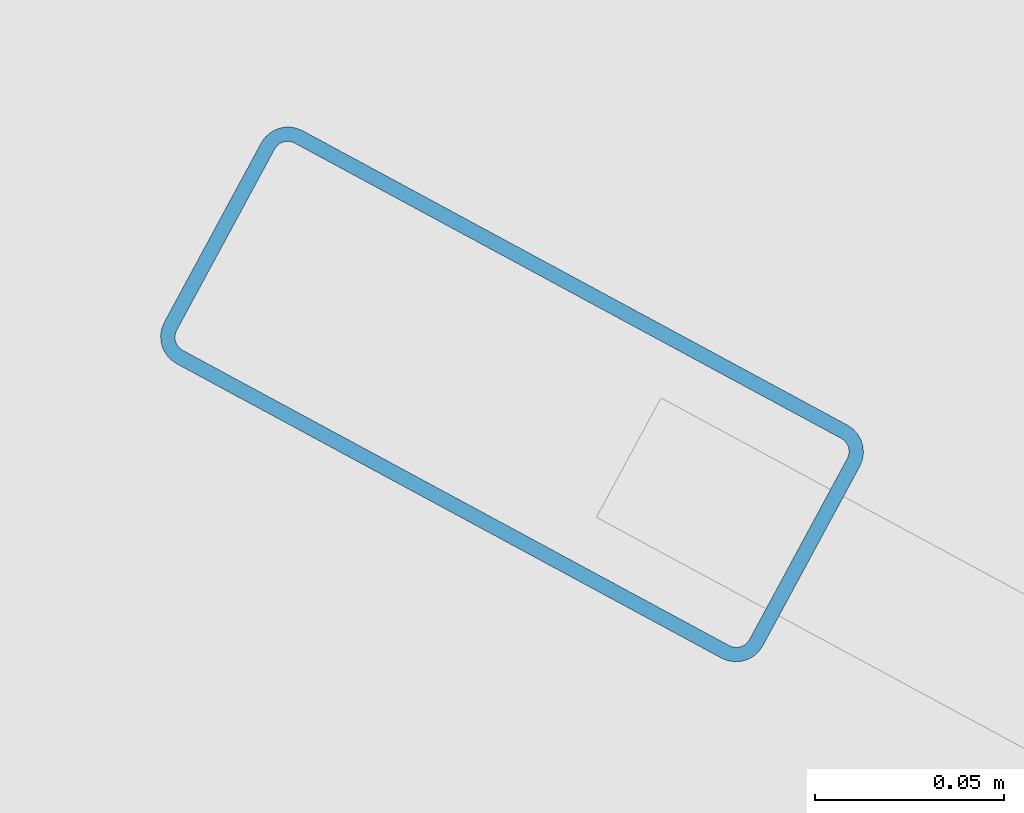
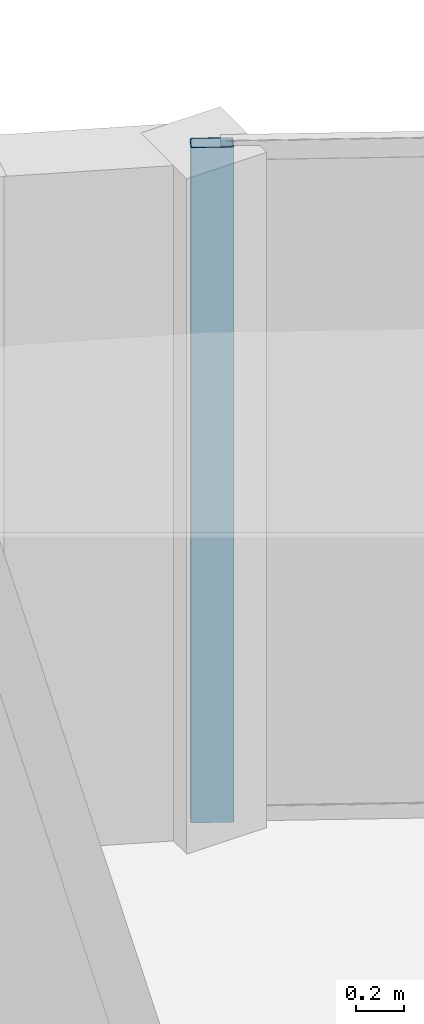
# One storey, part 7 of 13: 1 member, 1 element without a shape of its own.
"""IFC4 building model written with IfcOpenShell, lengths in metres."""

from ifc_helpers import new_model, si_unit, direction, frame, origin, origin_2d, place, context, subcontext, project, spatial, hollow_rectangle, extrude, material, layer, layer_set, material_profile, profile_set, type_object, element, aggregate, save


model = new_model("IFC4")

# Units and contexts
model_context = context("Model", 3, precision=1e-05, world=origin(), true_north=direction((0.0, 1.0)))
body_context = subcontext(model_context, "Body", "Model", "MODEL_VIEW")
ifc_project = project(units=[si_unit("LENGTHUNIT", "METRE"), si_unit("AREAUNIT", "SQUARE_METRE"), si_unit("VOLUMEUNIT", "CUBIC_METRE"), si_unit("PLANEANGLEUNIT", "RADIAN"), si_unit("MASSUNIT", "GRAM", prefix="KILO")], contexts=[model_context])

# Site, building, storey
site_placement = place(None, origin())
site = spatial("IfcSite", under=ifc_project, at=site_placement, CompositionType="ELEMENT")
building_placement = place(site_placement, origin())
building = spatial("IfcBuilding", under=site, at=building_placement, Name="An Khanh Terracotta Commons", CompositionType="ELEMENT")
storey_placement = place(building_placement, frame((0.0, 0.0, 226.5)))
storey = spatial("IfcBuildingStorey", under=building, at=storey_placement, Name="L59", CompositionType="ELEMENT", Elevation=226.5)

# Curtain wall, member
ifc_material = material(Name="Anodised Aluminium 6063-T6", Category="aluminium")
ifc_layer = layer(ifc_material, 0.2099609375, Name="Anodised Aluminium 6063-T6")
ifc_layer_set = layer_set([ifc_layer], Name="Anodised Aluminium 6063-T6")
curtain_wall_type = type_object("IfcCurtainWallType", Name="CW-SYS-03", PredefinedType="USERDEFINED", material=ifc_layer_set)
curtain_wall_placement = place(storey_placement, origin())
curtain_wall = element("IfcCurtainWall", 1, at=curtain_wall_placement, inside=storey, type_object=curtain_wall_type, Name="L59 CW-03 Unitised Curtain Wall CW-L59-16", ObjectType="UNITISED CURTAIN WALL", PredefinedType="USERDEFINED")
ifc_material_profile = material_profile(ifc_material, hollow_rectangle(XDim=0.070068359375, YDim=0.179931640625, WallThickness=0.00390625, InnerFilletRadius=0.00390625, OuterFilletRadius=0.008056640625, at=origin_2d()), Name="RHS180x70x4")
ifc_profile_set = profile_set([ifc_material_profile], Name="Anodised Aluminium 6063-T6")
member_type = type_object("IfcMemberType", Name="CWM-RHS180x70x4", PredefinedType="MULLION", material=ifc_profile_set)
member_placement = place(storey_placement, frame((57.3876953125, 39.058349609375, 0.0), z_axis=(0.0, 0.0, 1.0), x_axis=(-0.47538088298, -0.879780095306, 0.0)))
member = element("IfcMember", 2, at=member_placement, type_object=member_type, Name="CW-03 mullion 5", PredefinedType="MULLION", context=body_context, shape_type="SweptSolid", body=[
    extrude(hollow_rectangle(XDim=0.070068359375, YDim=0.179931640625, WallThickness=0.00390625, InnerFilletRadius=0.00390625, OuterFilletRadius=0.008056640625, at=origin_2d()), origin(), (0.0, 0.0, 1.0), 3.39990234375),
])
aggregate(curtain_wall, [member])

save(model, "model.ifc")
